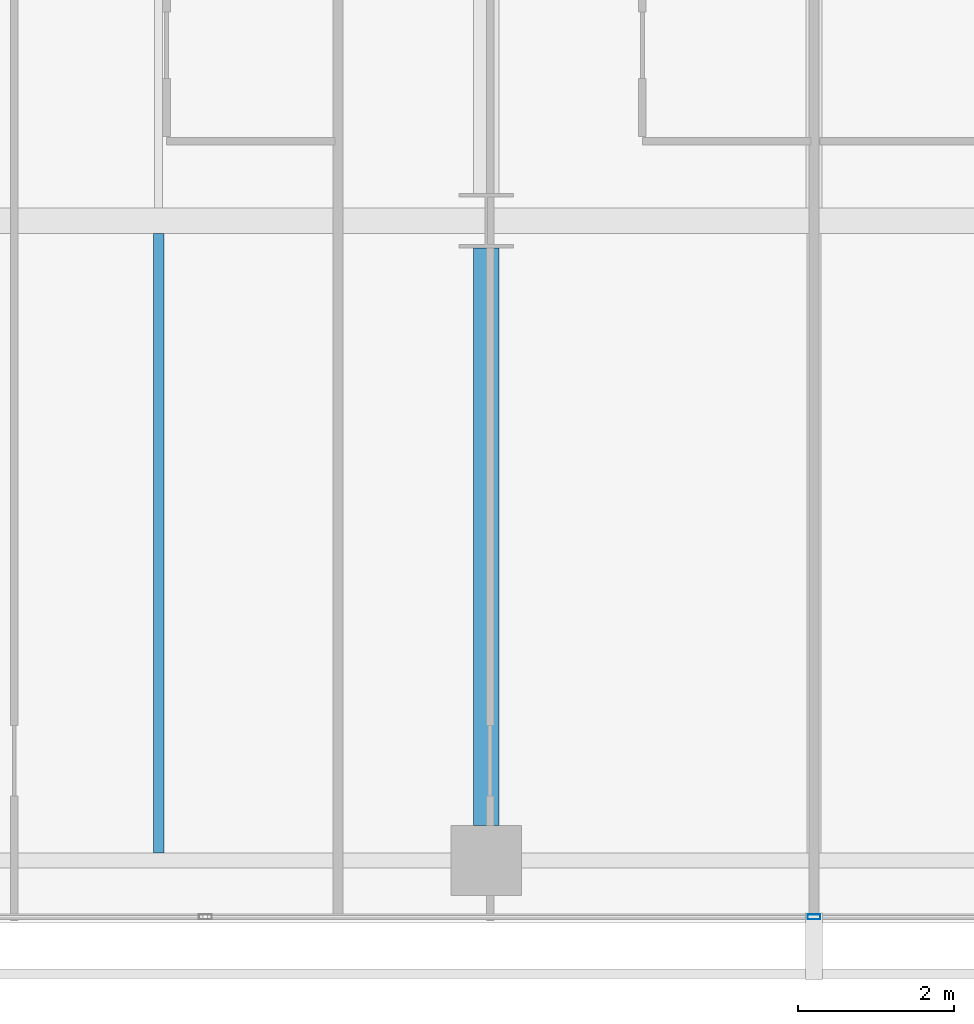
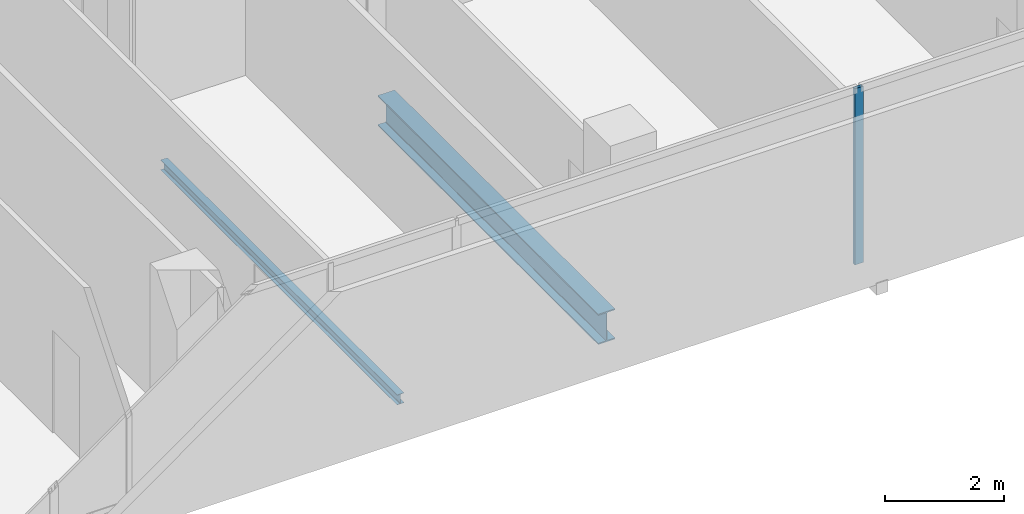
# One storey, part 8 of 40: 2 beams, 1 member, 1 element without a shape of its own.
"""IFC4 building model written with IfcOpenShell, lengths in metres."""

from ifc_helpers import new_model, si_unit, direction, frame, origin, origin_2d, place, context, subcontext, project, spatial, hollow_rectangle, i_section, extrude, material, layer, layer_set, material_profile, profile_set, type_object, element, aggregate, save


model = new_model("IFC4")

# Units and contexts
model_context = context("Model", 3, precision=1e-05, world=origin(), true_north=direction((0.0, 1.0)))
body_context = subcontext(model_context, "Body", "Model", "MODEL_VIEW")
ifc_project = project(units=[si_unit("LENGTHUNIT", "METRE"), si_unit("AREAUNIT", "SQUARE_METRE"), si_unit("VOLUMEUNIT", "CUBIC_METRE"), si_unit("PLANEANGLEUNIT", "RADIAN"), si_unit("MASSUNIT", "GRAM", prefix="KILO")], contexts=[model_context])

# Site, building, storey
site_placement = place(None, origin())
site = spatial("IfcSite", under=ifc_project, at=site_placement, CompositionType="ELEMENT")
building_placement = place(site_placement, origin())
building = spatial("IfcBuilding", under=site, at=building_placement, Name="Maruvema Waterfront Hotel and Observation Tower", CompositionType="ELEMENT")
storey_placement = place(building_placement, frame((0.0, 0.0, 38.5)))
storey = spatial("IfcBuildingStorey", under=building, at=storey_placement, Name="L08", CompositionType="ELEMENT", Elevation=38.5)

# Curtain wall, member
ifc_material_1 = material(Name="Anodised bronze aluminium and solar-control low-E IGU", Category="aluminium")
ifc_layer = layer(ifc_material_1, 0.159912109375, Name="Zone 1 Bronze Inner Thermal Curtain Wall System CW-02")
ifc_layer_set = layer_set([ifc_layer], Name="Anodised bronze aluminium and solar-control low-E IGU")
curtain_wall_type = type_object("IfcCurtainWallType", Name="Zone 1 Bronze Inner Thermal Curtain Wall System CW-02", PredefinedType="USERDEFINED", material=ifc_layer_set)
curtain_wall_placement = place(storey_placement, origin())
curtain_wall = element("IfcCurtainWall", 1, at=curtain_wall_placement, inside=storey, type_object=curtain_wall_type, Name="L08 Curtain Wall CW-L08-S", ObjectType="UNITISED CURTAIN WALL", PredefinedType="USERDEFINED")
ifc_material_2 = material(Name="Anodised architectural bronze aluminium", Category="aluminium")
ifc_material_profile_1 = material_profile(ifc_material_2, hollow_rectangle(XDim=0.06494140625, YDim=0.1650390625, WallThickness=0.00390625, at=origin_2d()), Name="ALU-M65x165")
ifc_profile_set_1 = profile_set([ifc_material_profile_1], Name="Anodised architectural bronze aluminium")
member_type = type_object("IfcMemberType", Name="Curtain Wall Primary Mullion ALU-M65x165", PredefinedType="MULLION", material=ifc_profile_set_1)
member_placement = place(storey_placement, frame((37.800048828125, 0.080078125, 0.0), z_axis=(0.0, 0.0, 1.0), x_axis=(0.0, 1.0, 0.0)))
member = element("IfcMember", 2, at=member_placement, type_object=member_type, Name="CW-02 mullion 4", PredefinedType="MULLION", context=body_context, shape_type="SweptSolid", body=[
    extrude(hollow_rectangle(XDim=0.06494140625, YDim=0.1650390625, WallThickness=0.00390625, at=origin_2d()), origin(), (0.0, 0.0, 1.0), 3.610107421875),
])
aggregate(curtain_wall, [member])

# Beams
ifc_material_3 = material(Name="Steel ASTM A572 Grade 50", Category="steel")
ifc_material_profile_2 = material_profile(ifc_material_3, i_section(OverallWidth=0.326904296875, OverallDepth=0.6220703125, WebThickness=0.015380859375, FlangeThickness=0.0244140625, FilletRadius=0.01806640625, at=origin_2d()), Name="W610x195.0")
ifc_profile_set_2 = profile_set([ifc_material_profile_2], Name="Steel ASTM A572 Grade 50")
beam_type_1 = type_object("IfcBeamType", Name="Primary Floor Girder W610x195.0", PredefinedType="BEAM", material=ifc_profile_set_2)
beam_1_placement = place(storey_placement, frame((33.60009765625, 1.25, -0.551025390625), z_axis=(0.0, 1.0, 0.0), x_axis=(-1.0, 0.0, 0.0)))
element("IfcBeam", 3, at=beam_1_placement, inside=storey, type_object=beam_type_1, Name="L08 Floor Girder NS-16", PredefinedType="BEAM", context=body_context, shape_type="SweptSolid", body=[
    extrude(i_section(OverallWidth=0.326904296875, OverallDepth=0.6220703125, WebThickness=0.015380859375, FlangeThickness=0.0244140625, FilletRadius=0.01806640625, at=origin_2d()), origin(), (0.0, 0.0, 1.0), 7.39990234375),
])
ifc_material_4 = material(Name="Steel ASTM A572 Grade 50", Category="steel")
ifc_material_profile_3 = material_profile(ifc_material_4, i_section(OverallWidth=0.133056640625, OverallDepth=0.20703125, WebThickness=0.005859375, FlangeThickness=0.00830078125, FilletRadius=0.010009765625, at=origin_2d()), Name="W200x26.6")
ifc_profile_set_3 = profile_set([ifc_material_profile_3], Name="Steel ASTM A572 Grade 50")
beam_type_2 = type_object("IfcBeamType", Name="Secondary Floor Joist W200x26.6", PredefinedType="JOIST", material=ifc_profile_set_3)
beam_2_placement = place(storey_placement, frame((29.39990234375, 0.89501953125, -0.343505859375), z_axis=(0.0, 1.0, 0.0), x_axis=(-1.0, 0.0, 0.0)))
element("IfcBeam", 4, at=beam_2_placement, inside=storey, type_object=beam_type_2, Name="L08 Secondary Floor Joist JS-10", PredefinedType="JOIST", context=body_context, shape_type="SweptSolid", body=[
    extrude(i_section(OverallWidth=0.133056640625, OverallDepth=0.20703125, WebThickness=0.005859375, FlangeThickness=0.00830078125, FilletRadius=0.010009765625, at=origin_2d()), origin(), (0.0, 0.0, 1.0), 7.94140625),
])

save(model, "model.ifc")
